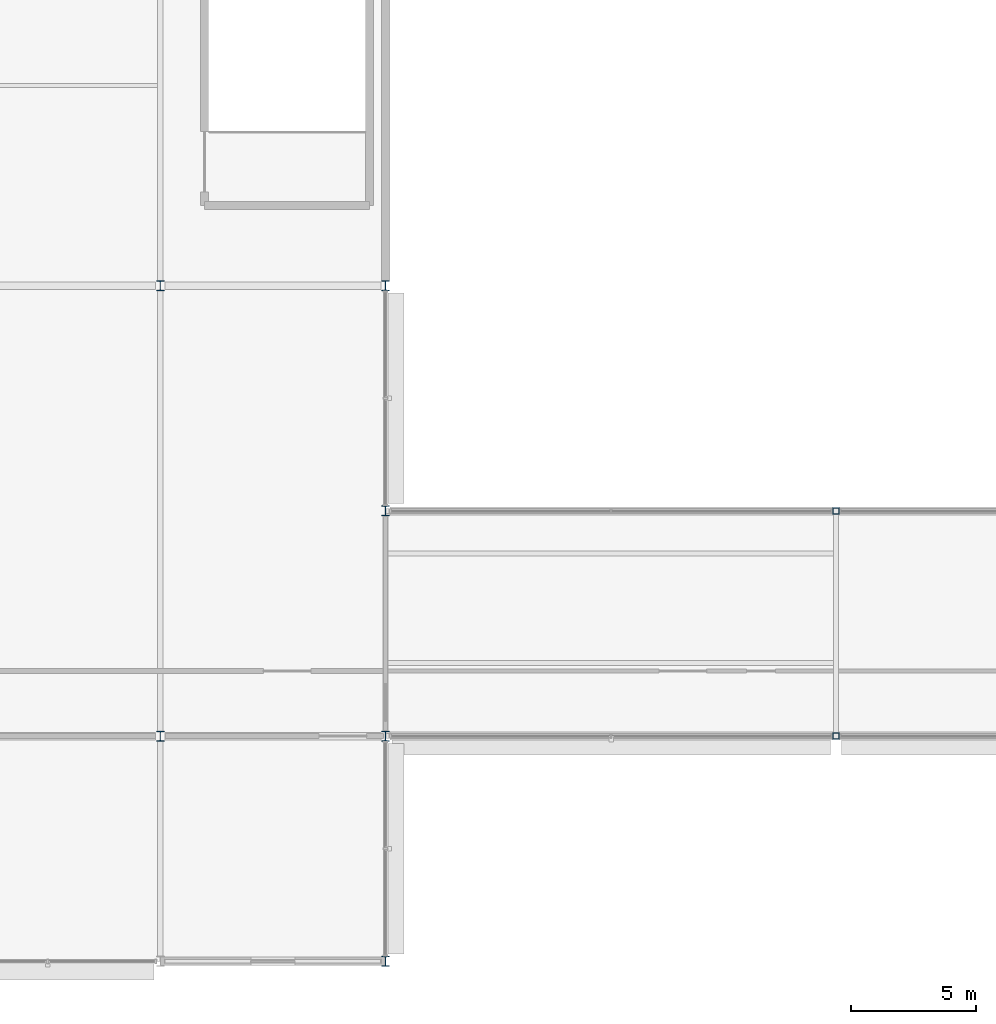
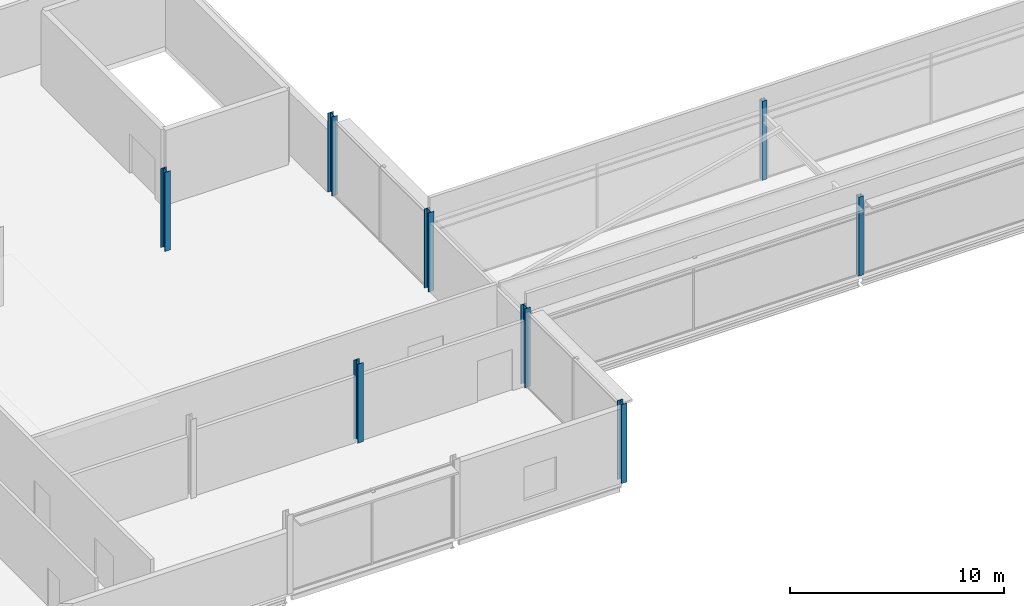
# One storey, part 2 of 73: 8 columns.
"""IFC4 building model written with IfcOpenShell, lengths in metres."""

from ifc_helpers import new_model, si_unit, direction, frame, origin, origin_2d, place, context, subcontext, project, spatial, hollow_rectangle, i_section, extrude, material, material_profile, profile_set, type_object, element, save


model = new_model("IFC4")

# Units and contexts
model_context = context("Model", 3, precision=1e-05, world=origin(), true_north=direction((0.0, 1.0)))
body_context = subcontext(model_context, "Body", "Model", "MODEL_VIEW")
ifc_project = project(units=[si_unit("LENGTHUNIT", "METRE"), si_unit("AREAUNIT", "SQUARE_METRE"), si_unit("VOLUMEUNIT", "CUBIC_METRE"), si_unit("PLANEANGLEUNIT", "RADIAN"), si_unit("MASSUNIT", "GRAM", prefix="KILO")], contexts=[model_context])

# Site, building, storey
site_placement = place(None, origin())
site = spatial("IfcSite", under=ifc_project, at=site_placement, CompositionType="ELEMENT")
building_placement = place(site_placement, origin())
building = spatial("IfcBuilding", under=site, at=building_placement, Name="Kisiwana Market Hall", CompositionType="ELEMENT")
storey_placement = place(building_placement, frame((0.0, 0.0, 33.300048828125)))
storey = spatial("IfcBuildingStorey", under=building, at=storey_placement, Name="L07", CompositionType="ELEMENT", Elevation=33.300048828125)

# Columns
ifc_material_1 = material(Name="Steel S355", Category="steel")
ifc_material_profile_1 = material_profile(ifc_material_1, i_section(OverallWidth=0.300048828125, OverallDepth=0.39990234375, WebThickness=0.013427734375, FlangeThickness=0.02392578125, FilletRadius=0.027099609375, at=origin_2d()), Name="HEB 400")
ifc_profile_set_1 = profile_set([ifc_material_profile_1], Name="Steel S355")
column_type_1 = type_object("IfcColumnType", Name="COL-STL-HEB400", PredefinedType="COLUMN", material=ifc_profile_set_1)
for number, where, z_axis, x_axis, name in (
    (1, (36.0, 18.0, 0.0), (0.0, 0.0, 1.0), (1.0, 0.0, 0.0), "Column C/5 (L07) C-1091"),
    (2, (36.0, 36.0, 0.0), (0.0, 0.0, 1.0), (1.0, 0.0, 0.0), "Column E/5 (L07) C-1092"),
    (3, (45.0, 9.0, 0.0), (0.0, 0.0, 1.0), (1.0, 0.0, 0.0), "Column B/6 (L07) C-1096"),
    (4, (45.0, 18.0, 0.0), (0.0, 0.0, 1.0), (1.0, 0.0, 0.0), "Column C/6 (L07) C-1097"),
    (5, (45.0, 27.0, 0.0), (0.0, 0.0, 1.0), (1.0, 0.0, 0.0), "Column D/6 (L07) C-1098"),
    (6, (45.0, 36.0, 0.0), (0.0, 0.0, 1.0), (1.0, 0.0, 0.0), "Column E/6 (L07) C-1099"),
):
    element("IfcColumn", number, at=place(storey_placement, frame(where, z_axis=z_axis, x_axis=x_axis)), inside=storey, type_object=column_type_1, Name=name, PredefinedType="COLUMN", context=body_context, shape_type="SweptSolid", body=[
        extrude(i_section(OverallWidth=0.300048828125, OverallDepth=0.39990234375, WebThickness=0.013427734375, FlangeThickness=0.02392578125, FilletRadius=0.027099609375, at=origin_2d()), origin(), (0.0, 0.0, 1.0), 4.5),
    ])
ifc_material_2 = material(Name="Steel S355", Category="steel")
ifc_material_profile_2 = material_profile(ifc_material_2, hollow_rectangle(XDim=0.25, YDim=0.25, WallThickness=0.012451171875, at=origin_2d()), Name="SHS 250x250x12.5")
ifc_profile_set_2 = profile_set([ifc_material_profile_2], Name="Steel S355")
column_type_2 = type_object("IfcColumnType", Name="COL-STL-SHS250", PredefinedType="COLUMN", material=ifc_profile_set_2)
for number, where, z_axis, x_axis, name in (
    (7, (63.0, 18.0, 0.0), (0.0, 0.0, 1.0), (1.0, 0.0, 0.0), "Column C/8 (L07) C-1105"),
    (8, (63.0, 27.0, 0.0), (0.0, 0.0, 1.0), (1.0, 0.0, 0.0), "Column D/8 (L07) C-1106"),
):
    element("IfcColumn", number, at=place(storey_placement, frame(where, z_axis=z_axis, x_axis=x_axis)), inside=storey, type_object=column_type_2, Name=name, PredefinedType="COLUMN", context=body_context, shape_type="SweptSolid", body=[
        extrude(hollow_rectangle(XDim=0.25, YDim=0.25, WallThickness=0.012451171875, at=origin_2d()), origin(), (0.0, 0.0, 1.0), 4.5),
    ])

save(model, "model.ifc")
